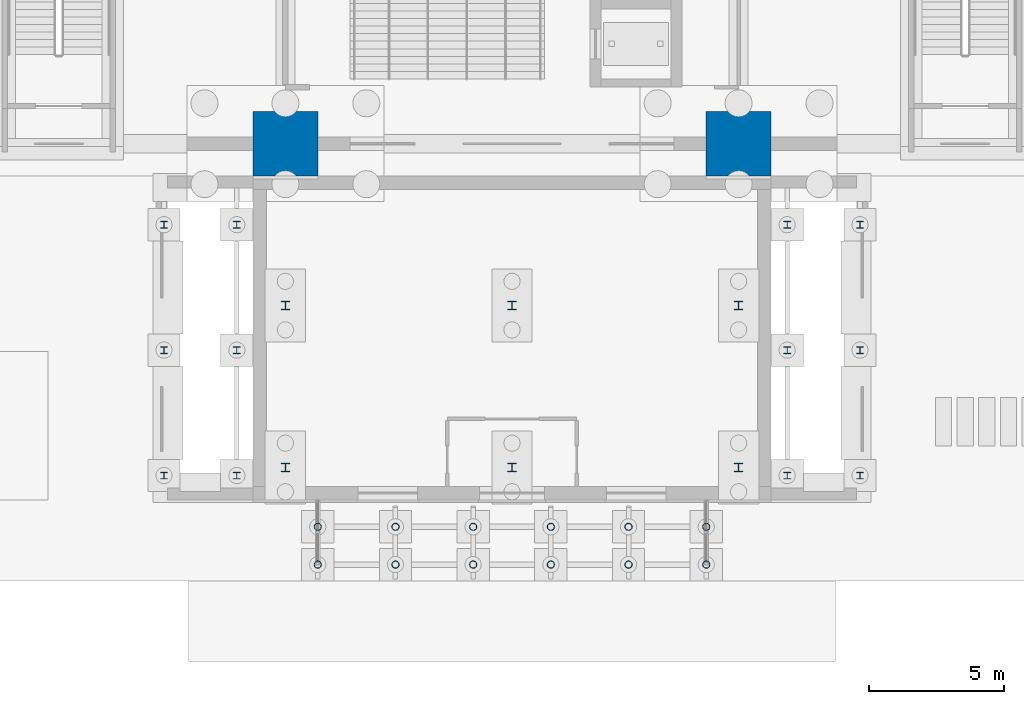
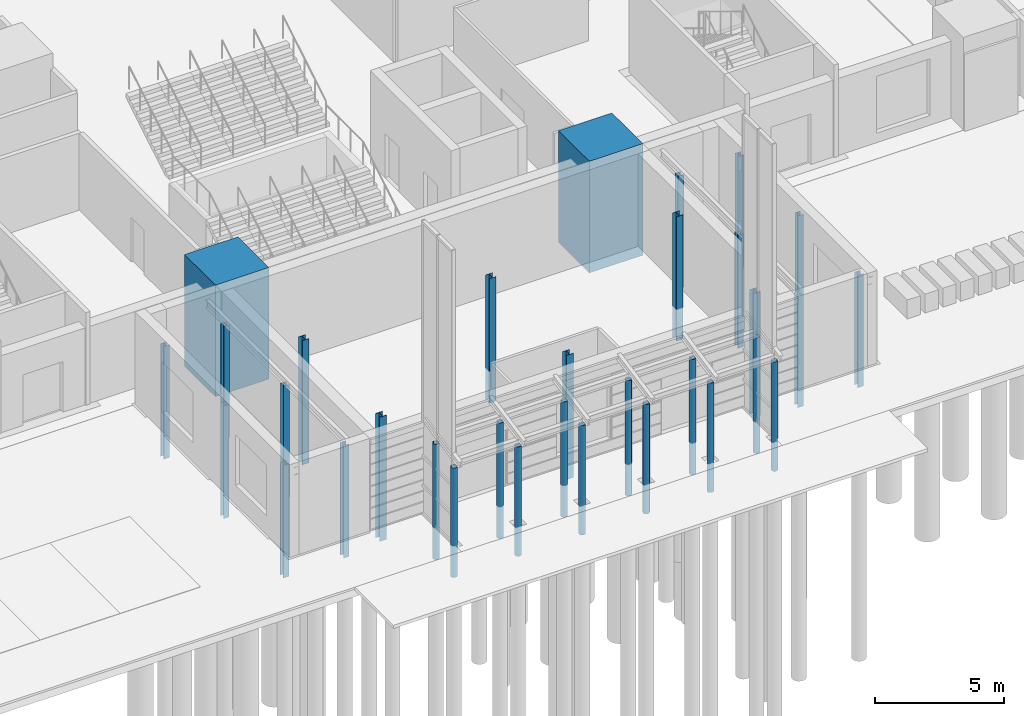
# One storey, part 12 of 139: 32 columns.
"""IFC4 building model written with IfcOpenShell, lengths in metres."""

from ifc_helpers import new_model, si_unit, direction, frame, origin, origin_2d, place, context, subcontext, project, spatial, rectangle, hollow_circle, i_section, extrude, material, material_profile, profile_set, type_object, element, save


model = new_model("IFC4")

# Units and contexts
model_context = context("Model", 3, precision=1e-05, world=origin(), true_north=direction((0.0, 1.0)))
body_context = subcontext(model_context, "Body", "Model", "MODEL_VIEW")
ifc_project = project(units=[si_unit("LENGTHUNIT", "METRE"), si_unit("AREAUNIT", "SQUARE_METRE"), si_unit("VOLUMEUNIT", "CUBIC_METRE"), si_unit("PLANEANGLEUNIT", "RADIAN"), si_unit("MASSUNIT", "GRAM", prefix="KILO")], contexts=[model_context])

# Site, building, storey
site_placement = place(None, origin())
site = spatial("IfcSite", under=ifc_project, at=site_placement, CompositionType="ELEMENT")
building_placement = place(site_placement, origin())
building = spatial("IfcBuilding", under=site, at=building_placement, Name="Verrick Yard Athletic Hall", CompositionType="ELEMENT")
storey_placement = place(building_placement, origin())
storey = spatial("IfcBuildingStorey", under=building, at=storey_placement, Name="L00", CompositionType="ELEMENT", Elevation=0.0)

# Columns
ifc_material_1 = material(Name="Concrete 35 MPa", Category="concrete")
ifc_material_profile_1 = material_profile(ifc_material_1, rectangle(XDim=2.39990234375, YDim=2.39990234375, at=origin_2d()), Name="STR Buttress pier PR1")
ifc_profile_set_1 = profile_set([ifc_material_profile_1], Name="Concrete 35 MPa")
column_type_1 = type_object("IfcColumnType", Name="STR Buttress pier PR1", PredefinedType="COLUMN", material=ifc_profile_set_1)
for number, where, z_axis, x_axis, name in (
    (1, (90.39990234375, 19.199951171875, -0.89990234375), (0.0, 0.0, 1.0), (1.0, 0.0, 0.0), "Buttress pier P4A"),
    (2, (107.199951171875, 19.199951171875, -0.89990234375), (0.0, 0.0, 1.0), (1.0, 0.0, 0.0), "Buttress pier P5A"),
):
    element("IfcColumn", number, at=place(storey_placement, frame(where, z_axis=z_axis, x_axis=x_axis)), inside=storey, type_object=column_type_1, Name=name, PredefinedType="COLUMN", context=body_context, shape_type="SweptSolid", body=[
        extrude(rectangle(XDim=2.39990234375, YDim=2.39990234375, at=origin_2d()), origin(), (0.0, 0.0, 1.0), 5.2998046875),
    ])
ifc_material_2 = material(Name="Structural steel 350W (CSA G40.21)", Category="steel")
ifc_material_profile_2 = material_profile(ifc_material_2, i_section(OverallWidth=0.305908203125, OverallDepth=0.31103515625, WebThickness=0.010986328125, FlangeThickness=0.01708984375, at=origin_2d()), Name="W310x107")
ifc_profile_set_2 = profile_set([ifc_material_profile_2], Name="Structural steel 350W (CSA G40.21)")
column_type_2 = type_object("IfcColumnType", Name="STR Foyer column W310x107", PredefinedType="COLUMN", material=ifc_profile_set_2)
for number, where, z_axis, x_axis, name in (
    (3, (90.39990234375, 7.199951171875, -1.5), (0.0, 0.0, 1.0), (1.0, 0.0, 0.0), "Foyer column FC11"),
    (4, (90.39990234375, 13.199951171875, -1.5), (0.0, 0.0, 1.0), (1.0, 0.0, 0.0), "Foyer column FC12"),
    (5, (98.800048828125, 7.199951171875, -1.5), (0.0, 0.0, 1.0), (1.0, 0.0, 0.0), "Foyer column FC21"),
    (6, (98.800048828125, 13.199951171875, -1.5), (0.0, 0.0, 1.0), (1.0, 0.0, 0.0), "Foyer column FC22"),
    (7, (107.199951171875, 7.199951171875, -1.5), (0.0, 0.0, 1.0), (1.0, 0.0, 0.0), "Foyer column FC31"),
    (8, (107.199951171875, 13.199951171875, -1.5), (0.0, 0.0, 1.0), (1.0, 0.0, 0.0), "Foyer column FC32"),
):
    element("IfcColumn", number, at=place(storey_placement, frame(where, z_axis=z_axis, x_axis=x_axis)), inside=storey, type_object=column_type_2, Name=name, PredefinedType="COLUMN", context=body_context, shape_type="SweptSolid", body=[
        extrude(i_section(OverallWidth=0.305908203125, OverallDepth=0.31103515625, WebThickness=0.010986328125, FlangeThickness=0.01708984375, at=origin_2d()), origin(), (0.0, 0.0, 1.0), 5.89990234375),
    ])
ifc_material_3 = material(Name="Structural steel HSS Class C 350W (CSA G40.20/G40.21)", Category="steel")
ifc_material_profile_3 = material_profile(ifc_material_3, hollow_circle(Radius=0.136474609375, WallThickness=0.0126953125, at=origin_2d()), Name="HSS273x13")
ifc_profile_set_3 = profile_set([ifc_material_profile_3], Name="Structural steel HSS Class C 350W (CSA G40.20/G40.21)")
column_type_3 = type_object("IfcColumnType", Name="STR Porch column HSS273x13", PredefinedType="COLUMN", material=ifc_profile_set_3)
for number, where, z_axis, x_axis, name in (
    (9, (91.60009765625, 3.60009765625, -1.5), (0.0, 0.0, 1.0), (1.0, 0.0, 0.0), "Porch column PC1"),
    (10, (94.47998046875, 3.60009765625, -1.5), (0.0, 0.0, 1.0), (1.0, 0.0, 0.0), "Porch column PC2"),
    (11, (97.360107421875, 3.60009765625, -1.5), (0.0, 0.0, 1.0), (1.0, 0.0, 0.0), "Porch column PC3"),
    (12, (100.239990234375, 3.60009765625, -1.5), (0.0, 0.0, 1.0), (1.0, 0.0, 0.0), "Porch column PC4"),
    (13, (103.1201171875, 3.60009765625, -1.5), (0.0, 0.0, 1.0), (1.0, 0.0, 0.0), "Porch column PC5"),
    (14, (106.0, 3.60009765625, -1.5), (0.0, 0.0, 1.0), (1.0, 0.0, 0.0), "Porch column PC6"),
):
    element("IfcColumn", number, at=place(storey_placement, frame(where, z_axis=z_axis, x_axis=x_axis)), inside=storey, type_object=column_type_3, Name=name, PredefinedType="COLUMN", context=body_context, shape_type="SweptSolid", body=[
        extrude(hollow_circle(Radius=0.136474609375, WallThickness=0.0126953125, at=origin_2d()), origin(), (0.0, 0.0, 1.0), 5.199951171875),
    ])
for number, where, z_axis, x_axis, name in (
    (15, (91.60009765625, 5.0, -1.5), (0.0, 0.0, 1.0), (1.0, 0.0, 0.0), "Porch column PR1"),
    (16, (94.47998046875, 5.0, -1.5), (0.0, 0.0, 1.0), (1.0, 0.0, 0.0), "Porch column PR2"),
    (17, (97.360107421875, 5.0, -1.5), (0.0, 0.0, 1.0), (1.0, 0.0, 0.0), "Porch column PR3"),
    (18, (100.239990234375, 5.0, -1.5), (0.0, 0.0, 1.0), (1.0, 0.0, 0.0), "Porch column PR4"),
    (19, (103.1201171875, 5.0, -1.5), (0.0, 0.0, 1.0), (1.0, 0.0, 0.0), "Porch column PR5"),
    (20, (106.0, 5.0, -1.5), (0.0, 0.0, 1.0), (1.0, 0.0, 0.0), "Porch column PR6"),
):
    element("IfcColumn", number, at=place(storey_placement, frame(where, z_axis=z_axis, x_axis=x_axis)), inside=storey, type_object=column_type_3, Name=name, PredefinedType="COLUMN", context=body_context, shape_type="SweptSolid", body=[
        extrude(hollow_circle(Radius=0.136474609375, WallThickness=0.0126953125, at=origin_2d()), origin(), (0.0, 0.0, 1.0), 5.47998046875),
    ])
ifc_material_profile_4 = material_profile(ifc_material_2, i_section(OverallWidth=0.25390625, OverallDepth=0.2529296875, WebThickness=0.008544921875, FlangeThickness=0.01416015625, at=origin_2d()), Name="W250x73")
ifc_profile_set_4 = profile_set([ifc_material_profile_4], Name="Structural steel 350W (CSA G40.21)")
column_type_4 = type_object("IfcColumnType", Name="STR Roof garden column W250x73", PredefinedType="COLUMN", material=ifc_profile_set_4)
for number, where, z_axis, x_axis, name in (
    (21, (88.60009765625, 6.89990234375, -1.5), (0.0, 0.0, 1.0), (1.0, 0.0, 0.0), "Roof garden column LCWI1"),
    (22, (88.60009765625, 11.550048828125, -1.5), (0.0, 0.0, 1.0), (1.0, 0.0, 0.0), "Roof garden column LCWI2"),
    (23, (88.60009765625, 16.199951171875, -1.5), (0.0, 0.0, 1.0), (1.0, 0.0, 0.0), "Roof garden column LCWI3"),
    (24, (85.89990234375, 6.89990234375, -1.5), (0.0, 0.0, 1.0), (1.0, 0.0, 0.0), "Roof garden column LCWO1"),
    (25, (85.89990234375, 11.550048828125, -1.5), (0.0, 0.0, 1.0), (1.0, 0.0, 0.0), "Roof garden column LCWO2"),
    (26, (85.89990234375, 16.199951171875, -1.5), (0.0, 0.0, 1.0), (1.0, 0.0, 0.0), "Roof garden column LCWO3"),
    (27, (109.0, 6.89990234375, -1.5), (0.0, 0.0, 1.0), (1.0, 0.0, 0.0), "Roof garden column LCEI1"),
    (28, (109.0, 11.550048828125, -1.5), (0.0, 0.0, 1.0), (1.0, 0.0, 0.0), "Roof garden column LCEI2"),
    (29, (109.0, 16.199951171875, -1.5), (0.0, 0.0, 1.0), (1.0, 0.0, 0.0), "Roof garden column LCEI3"),
    (30, (111.699951171875, 6.89990234375, -1.5), (0.0, 0.0, 1.0), (1.0, 0.0, 0.0), "Roof garden column LCEO1"),
    (31, (111.699951171875, 11.550048828125, -1.5), (0.0, 0.0, 1.0), (1.0, 0.0, 0.0), "Roof garden column LCEO2"),
    (32, (111.699951171875, 16.199951171875, -1.5), (0.0, 0.0, 1.0), (1.0, 0.0, 0.0), "Roof garden column LCEO3"),
):
    element("IfcColumn", number, at=place(storey_placement, frame(where, z_axis=z_axis, x_axis=x_axis)), inside=storey, type_object=column_type_4, Name=name, PredefinedType="COLUMN", context=body_context, shape_type="SweptSolid", body=[
        extrude(i_section(OverallWidth=0.25390625, OverallDepth=0.2529296875, WebThickness=0.008544921875, FlangeThickness=0.01416015625, at=origin_2d()), origin(), (0.0, 0.0, 1.0), 5.344970703125),
    ])

save(model, "model.ifc")
